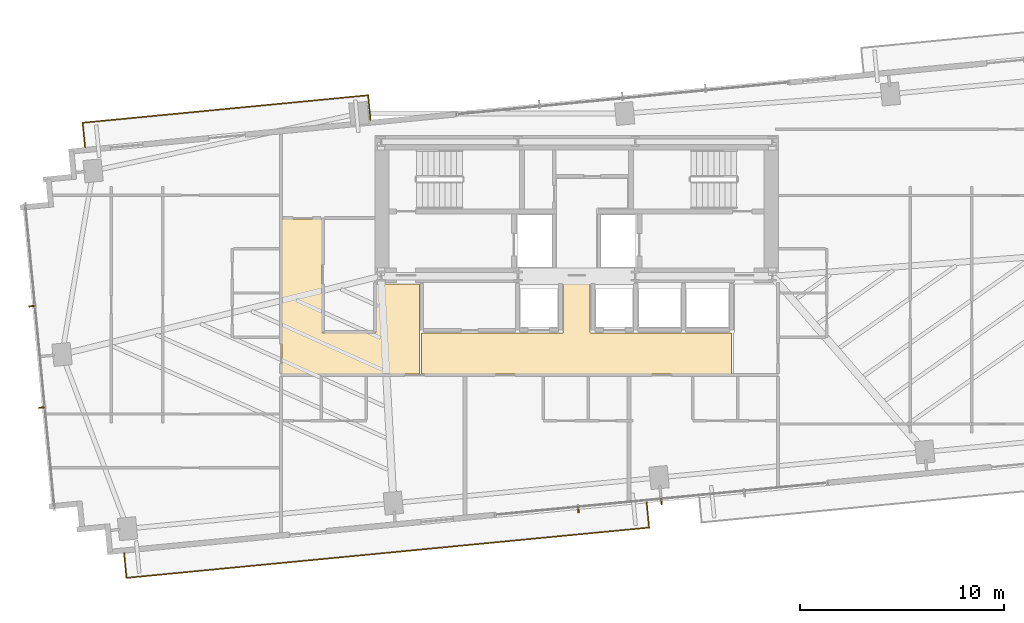
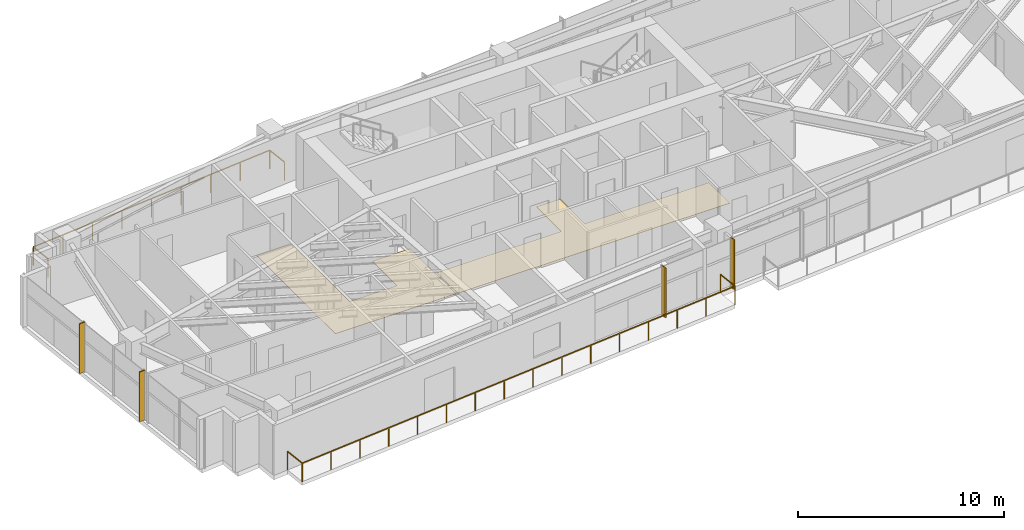
# One storey, part 23 of 25: 4 shading devices, 2 coverings, 2 railings.
"""IFC4 building model written with IfcOpenShell, lengths in metres."""

from ifc_helpers import new_model, si_unit, direction, frame, origin, origin_2d, place, context, subcontext, project, spatial, polyline, rectangle, outline, extrude, source, transform, mapped, material, layer, layer_set, type_object, type_shapes, element, save


model = new_model("IFC4")

# Units and contexts
model_context = context("Model", 3, precision=1e-05, world=origin(), true_north=direction((0.0, 1.0)))
body_context = subcontext(model_context, "Body", "Model", "MODEL_VIEW")
ifc_project = project(units=[si_unit("LENGTHUNIT", "METRE"), si_unit("AREAUNIT", "SQUARE_METRE"), si_unit("VOLUMEUNIT", "CUBIC_METRE"), si_unit("PLANEANGLEUNIT", "RADIAN"), si_unit("MASSUNIT", "GRAM", prefix="KILO")], contexts=[model_context])

# Site, building, storey
site_placement = place(None, origin())
site = spatial("IfcSite", under=ifc_project, at=site_placement, CompositionType="ELEMENT")
building_placement = place(site_placement, origin())
building = spatial("IfcBuilding", under=site, at=building_placement, Name="Astriad Promenade Condominiums", CompositionType="ELEMENT")
storey_placement = place(building_placement, frame((0.0, 0.0, 103.39990234375)))
storey = spatial("IfcBuildingStorey", under=building, at=storey_placement, Name="L29", CompositionType="ELEMENT", Elevation=103.39990234375)

# Coverings
ifc_material_1 = material(Name="Polished Lakefront Terrazzo Flooring")
ifc_layer = layer(ifc_material_1, 0.02001953125)
ifc_layer_set = layer_set([ifc_layer], Name="Polished Lakefront Terrazzo Flooring")
covering_type = type_object("IfcCoveringType", Name="COV-FLOR-TERRAZZO-20", PredefinedType="FLOORING", material=ifc_layer_set)
covering_1_placement = place(storey_placement, origin())
element("IfcCovering", 1, at=covering_1_placement, inside=storey, type_object=covering_type, Name="FLR-L29-LLB", PredefinedType="FLOORING", context=body_context, shape_type="SweptSolid", body=[
    extrude(outline(polyline([(32.9736328125, 14.6201171875), (32.974609375, 14.619140625), (32.977783203125, 14.61669921875), (32.981201171875, 14.61474609375), (32.984619140625, 14.613037109375), (32.98828125, 14.61181640625), (32.9921875, 14.61083984375), (32.99609375, 14.610107421875), (33.0, 14.610107421875), (35.300048828125, 14.610107421875), (35.303955078125, 14.610107421875), (35.307861328125, 14.61083984375), (35.3115234375, 14.61181640625), (35.315185546875, 14.613037109375), (35.31884765625, 14.61474609375), (35.322265625, 14.61669921875), (35.325439453125, 14.619140625), (35.328369140625, 14.62158203125), (35.330810546875, 14.62451171875), (35.333251953125, 14.627685546875), (35.335205078125, 14.631103515625), (35.3369140625, 14.634765625), (35.33837890625, 14.638427734375), (35.339111328125, 14.64208984375), (35.33984375, 14.64599609375), (35.340087890625, 14.64990234375), (35.340087890625, 17.010009765625), (36.659912109375, 17.010009765625), (36.659912109375, 14.64990234375), (36.66015625, 14.64599609375), (36.660888671875, 14.64208984375), (36.66162109375, 14.638427734375), (36.6630859375, 14.634765625), (36.664794921875, 14.631103515625), (36.666748046875, 14.627685546875), (36.669189453125, 14.62451171875), (36.671630859375, 14.62158203125), (36.674560546875, 14.619140625), (36.677734375, 14.61669921875), (36.68115234375, 14.61474609375), (36.684814453125, 14.613037109375), (36.6884765625, 14.61181640625), (36.692138671875, 14.61083984375), (36.696044921875, 14.610107421875), (36.699951171875, 14.610107421875), (43.610107421875, 14.610107421875), (43.610107421875, 12.590087890625), (28.389892578125, 12.590087890625), (28.389892578125, 14.6201171875), (32.9736328125, 14.6201171875)])), origin(), (0.0, 0.0, 1.0), 0.02001953125),
])
covering_2_placement = place(storey_placement, origin())
element("IfcCovering", 2, at=covering_2_placement, inside=storey, type_object=covering_type, Name="FLR-L29-COR-2", PredefinedType="FLOORING", context=body_context, shape_type="SweptSolid", body=[
    extrude(outline(polyline([(28.300048828125, 12.590087890625), (21.5400390625, 12.590087890625), (21.5400390625, 20.2099609375), (23.510009765625, 20.2099609375), (23.510009765625, 14.659912109375), (23.51025390625, 14.656005859375), (23.5107421875, 14.652099609375), (23.51171875, 14.6484375), (23.512939453125, 14.644775390625), (23.5146484375, 14.64111328125), (23.5166015625, 14.6376953125), (23.51904296875, 14.634521484375), (23.521728515625, 14.631591796875), (23.524658203125, 14.629150390625), (23.52783203125, 14.626708984375), (23.531005859375, 14.624755859375), (23.53466796875, 14.623046875), (23.538330078125, 14.62158203125), (23.542236328125, 14.620849609375), (23.546142578125, 14.6201171875), (23.550048828125, 14.6201171875), (26.1201171875, 14.6201171875), (26.123779296875, 14.6201171875), (26.127685546875, 14.620849609375), (26.131591796875, 14.62158203125), (26.13525390625, 14.623046875), (26.138916015625, 14.624755859375), (26.14208984375, 14.626708984375), (26.1455078125, 14.629150390625), (26.148193359375, 14.631591796875), (26.15087890625, 14.634521484375), (26.1533203125, 14.6376953125), (26.1552734375, 14.64111328125), (26.156982421875, 14.644775390625), (26.158203125, 14.6484375), (26.1591796875, 14.652099609375), (26.159912109375, 14.656005859375), (26.159912109375, 14.659912109375), (26.159912109375, 17.010009765625), (28.280029296875, 17.010009765625), (28.280029296875, 14.659912109375), (28.2802734375, 14.656005859375), (28.28076171875, 14.652099609375), (28.28173828125, 14.6484375), (28.282958984375, 14.644775390625), (28.28466796875, 14.64111328125), (28.28662109375, 14.6376953125), (28.2890625, 14.634521484375), (28.291748046875, 14.631591796875), (28.294677734375, 14.629150390625), (28.2978515625, 14.626708984375), (28.300048828125, 14.62548828125), (28.300048828125, 12.590087890625)])), origin(), (0.0, 0.0, 1.0), 0.02001953125),
])

# Shading devices
ifc_material_2 = material(Name="Anodised aluminium 6063-T6 Black Fin", Category="aluminium")
shading_device_type = type_object("IfcShadingDeviceType", Name="FIN-BLACK-320", PredefinedType="USERDEFINED", material=ifc_material_2)
shared_shape_1 = source(origin(), body_context, "Body", "SweptSolid", [
    extrude(rectangle(XDim=0.06494140625, YDim=0.320068359375, at=origin_2d()), origin(), (0.0, 0.0, 1.0), 2.93994140625),
])
type_shapes(shading_device_type, [shared_shape_1])
for number, where, z_axis, x_axis, name in (
    (3, (9.766845703125, 10.954345703125, 0.000244140625), (0.0, 0.0, 1.0), (-0.09584575252, 0.995396198367, 0.0), "CW-L29-W-FIN-01"),
    (4, (9.28759765625, 15.931396484375, 0.000244140625), (0.0, 0.0, 1.0), (-0.09584575252, 0.995396198367, 0.0), "CW-L29-W-FIN-02"),
    (5, (40.159423828125, 6.3359375, 0.000244140625), (0.0, 0.0, 1.0), (-0.995396198367, -0.09584575252, 0.0), "CW-L29-S-FIN-02"),
    (6, (36.083251953125, 5.943603515625, 0.000244140625), (0.0, 0.0, 1.0), (-0.995396198367, -0.09584575252, 0.0), "CW-L29-S-FIN-03"),
):
    element("IfcShadingDevice", number, at=place(storey_placement, frame(where, z_axis=z_axis, x_axis=x_axis)), inside=storey, type_object=shading_device_type, Name=name, ObjectType="FIN", PredefinedType="USERDEFINED", context=body_context, shape_type="MappedRepresentation", body=[
        mapped(shared_shape_1, transform((0.0, 0.0, 0.0), scale=1.0)),
    ])

# Railings
ifc_material_3 = material(Name="Laminated Glass and Stainless Steel Balustrade", Category="steel")
railing_type = type_object("IfcRailingType", Name="GRD-BALC-1120", PredefinedType="BALUSTRADE", material=ifc_material_3)
shared_shape_2 = source(origin(), body_context, "Body", "SweptSolid", [
    extrude(rectangle(XDim=0.048095703125, YDim=0.048095703125, at=origin_2d()), frame((0.0, 0.0, 1.09619140625), z_axis=(0.095857307208, -0.99539508571, 0.0), x_axis=(0.99539508571, 0.095857307208, 0.0)), (0.0, 0.0, 1.0), 1.219970703125),
    extrude(rectangle(XDim=0.048095703125, YDim=0.048095703125, at=origin_2d()), frame((0.116943359375, -1.21435546875, 1.09619140625), z_axis=(0.995395945368, 0.095848379982, 0.0), x_axis=(-0.095848379982, 0.995395945368, 0.0)), (0.0, 0.0, 1.0), 25.761962890625),
    extrude(rectangle(XDim=0.048095703125, YDim=0.048095703125, at=origin_2d()), frame((25.76025390625, 1.2548828125, 1.09619140625), z_axis=(-0.095857307208, 0.99539508571, 0.0), x_axis=(-0.99539508571, -0.095857307208, 0.0)), (0.0, 0.0, 1.0), 1.219970703125),
    extrude(rectangle(XDim=0.0419921875, YDim=0.0419921875, at=origin_2d()), origin(), (0.0, 0.0, 1.0), 1.072021484375),
    extrude(rectangle(XDim=0.0419921875, YDim=0.0419921875, at=origin_2d()), frame((0.116943359375, -1.21435546875, 0.0)), (0.0, 0.0, 1.0), 1.072021484375),
    extrude(rectangle(XDim=0.0419921875, YDim=0.0419921875, at=origin_2d()), frame((1.826416015625, -1.0498046875, 0.0)), (0.0, 0.0, 1.0), 1.072021484375),
    extrude(rectangle(XDim=0.0419921875, YDim=0.0419921875, at=origin_2d()), frame((3.5361328125, -0.885009765625, 0.0)), (0.0, 0.0, 1.0), 1.072021484375),
    extrude(rectangle(XDim=0.0419921875, YDim=0.0419921875, at=origin_2d()), frame((5.24560546875, -0.720458984375, 0.0)), (0.0, 0.0, 1.0), 1.072021484375),
    extrude(rectangle(XDim=0.0419921875, YDim=0.0419921875, at=origin_2d()), frame((6.955078125, -0.555908203125, 0.0)), (0.0, 0.0, 1.0), 1.072021484375),
    extrude(rectangle(XDim=0.0419921875, YDim=0.0419921875, at=origin_2d()), frame((8.664794921875, -0.391357421875, 0.0)), (0.0, 0.0, 1.0), 1.072021484375),
    extrude(rectangle(XDim=0.0419921875, YDim=0.0419921875, at=origin_2d()), frame((10.374267578125, -0.2265625, 0.0)), (0.0, 0.0, 1.0), 1.072021484375),
    extrude(rectangle(XDim=0.0419921875, YDim=0.0419921875, at=origin_2d()), frame((12.083740234375, -0.06201171875, 0.0)), (0.0, 0.0, 1.0), 1.072021484375),
    extrude(rectangle(XDim=0.0419921875, YDim=0.0419921875, at=origin_2d()), frame((13.79345703125, 0.1025390625, 0.0)), (0.0, 0.0, 1.0), 1.072021484375),
    extrude(rectangle(XDim=0.0419921875, YDim=0.0419921875, at=origin_2d()), frame((15.5029296875, 0.26708984375, 0.0)), (0.0, 0.0, 1.0), 1.072021484375),
    extrude(rectangle(XDim=0.0419921875, YDim=0.0419921875, at=origin_2d()), frame((17.21240234375, 0.431884765625, 0.0)), (0.0, 0.0, 1.0), 1.072021484375),
    extrude(rectangle(XDim=0.0419921875, YDim=0.0419921875, at=origin_2d()), frame((18.922119140625, 0.596435546875, 0.0)), (0.0, 0.0, 1.0), 1.072021484375),
    extrude(rectangle(XDim=0.0419921875, YDim=0.0419921875, at=origin_2d()), frame((20.631591796875, 0.760986328125, 0.0)), (0.0, 0.0, 1.0), 1.072021484375),
    extrude(rectangle(XDim=0.0419921875, YDim=0.0419921875, at=origin_2d()), frame((22.341064453125, 0.925537109375, 0.0)), (0.0, 0.0, 1.0), 1.072021484375),
    extrude(rectangle(XDim=0.0419921875, YDim=0.0419921875, at=origin_2d()), frame((24.05078125, 1.09033203125, 0.0)), (0.0, 0.0, 1.0), 1.072021484375),
    extrude(rectangle(XDim=0.0419921875, YDim=0.0419921875, at=origin_2d()), frame((25.76025390625, 1.2548828125, 0.0)), (0.0, 0.0, 1.0), 1.072021484375),
    extrude(rectangle(XDim=0.0419921875, YDim=0.0419921875, at=origin_2d()), frame((25.643310546875, 2.46923828125, 0.0)), (0.0, 0.0, 1.0), 1.072021484375),
])
railing_1_placement = place(storey_placement, frame((13.79638671875, 3.8076171875, 0.0)))
element("IfcRailing", 7, at=railing_1_placement, inside=storey, type_object=railing_type, Name="GRD-BALC-L29-SW", PredefinedType="BALUSTRADE", context=body_context, shape_type="MappedRepresentation", body=[
    mapped(shared_shape_2, transform((0.0, 0.0, 0.0), scale=1.0)),
])
shared_shape_3 = source(origin(), body_context, "Body", "SweptSolid", [
    extrude(rectangle(XDim=0.048095703125, YDim=0.048095703125, at=origin_2d()), frame((0.0, 0.0, 1.09619140625), z_axis=(-0.095857307208, 0.99539508571, 0.0), x_axis=(-0.99539508571, -0.095857307208, 0.0)), (0.0, 0.0, 1.0), 1.219970703125),
    extrude(rectangle(XDim=0.048095703125, YDim=0.048095703125, at=origin_2d()), frame((-0.116943359375, 1.21435546875, 1.09619140625), z_axis=(-0.99539662561, -0.095841315334, 0.0), x_axis=(0.095841315334, -0.99539662561, 0.0)), (0.0, 0.0, 1.0), 14.073974609375),
    extrude(rectangle(XDim=0.048095703125, YDim=0.048095703125, at=origin_2d()), frame((-14.126220703125, -0.134521484375, 1.09619140625), z_axis=(0.095857307208, -0.99539508571, 0.0), x_axis=(0.99539508571, 0.095857307208, 0.0)), (0.0, 0.0, 1.0), 1.219970703125),
    extrude(rectangle(XDim=0.0419921875, YDim=0.0419921875, at=origin_2d()), origin(), (0.0, 0.0, 1.0), 1.072021484375),
    extrude(rectangle(XDim=0.0419921875, YDim=0.0419921875, at=origin_2d()), frame((-0.116943359375, 1.21435546875, 0.0)), (0.0, 0.0, 1.0), 1.072021484375),
    extrude(rectangle(XDim=0.0419921875, YDim=0.0419921875, at=origin_2d()), frame((-1.8681640625, 1.045654296875, 0.0)), (0.0, 0.0, 1.0), 1.072021484375),
    extrude(rectangle(XDim=0.0419921875, YDim=0.0419921875, at=origin_2d()), frame((-3.619140625, 0.877197265625, 0.0)), (0.0, 0.0, 1.0), 1.072021484375),
    extrude(rectangle(XDim=0.0419921875, YDim=0.0419921875, at=origin_2d()), frame((-5.370361328125, 0.70849609375, 0.0)), (0.0, 0.0, 1.0), 1.072021484375),
    extrude(rectangle(XDim=0.0419921875, YDim=0.0419921875, at=origin_2d()), frame((-7.12158203125, 0.5400390625, 0.0)), (0.0, 0.0, 1.0), 1.072021484375),
    extrude(rectangle(XDim=0.0419921875, YDim=0.0419921875, at=origin_2d()), frame((-8.872802734375, 0.371337890625, 0.0)), (0.0, 0.0, 1.0), 1.072021484375),
    extrude(rectangle(XDim=0.0419921875, YDim=0.0419921875, at=origin_2d()), frame((-10.6240234375, 0.20263671875, 0.0)), (0.0, 0.0, 1.0), 1.072021484375),
    extrude(rectangle(XDim=0.0419921875, YDim=0.0419921875, at=origin_2d()), frame((-12.375, 0.0341796875, 0.0)), (0.0, 0.0, 1.0), 1.072021484375),
    extrude(rectangle(XDim=0.0419921875, YDim=0.0419921875, at=origin_2d()), frame((-14.126220703125, -0.134521484375, 0.0)), (0.0, 0.0, 1.0), 1.072021484375),
    extrude(rectangle(XDim=0.0419921875, YDim=0.0419921875, at=origin_2d()), frame((-14.00927734375, -1.348876953125, 0.0)), (0.0, 0.0, 1.0), 1.072021484375),
])
type_shapes(railing_type, [shared_shape_2, shared_shape_3])
railing_2_placement = place(storey_placement, frame((25.888671875, 25.064453125, 0.0)))
element("IfcRailing", 8, at=railing_2_placement, inside=storey, type_object=railing_type, Name="GRD-BALC-L29-NW", PredefinedType="BALUSTRADE", context=body_context, shape_type="MappedRepresentation", body=[
    mapped(shared_shape_3, transform((0.0, 0.0, 0.0), scale=1.0)),
])

save(model, "model.ifc")
